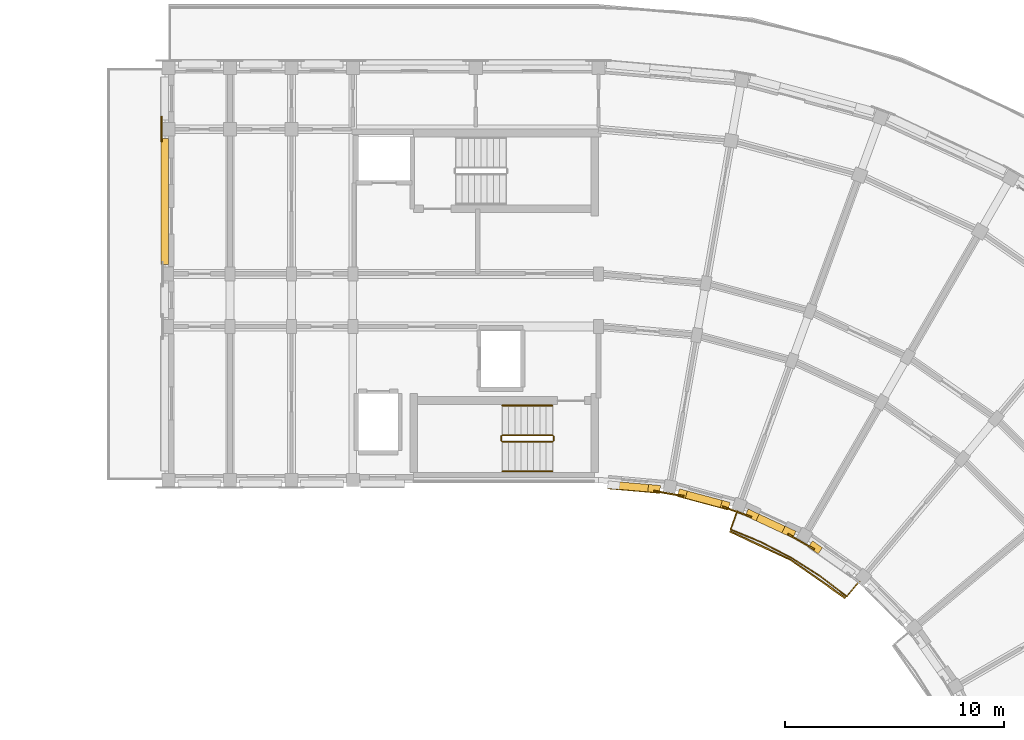
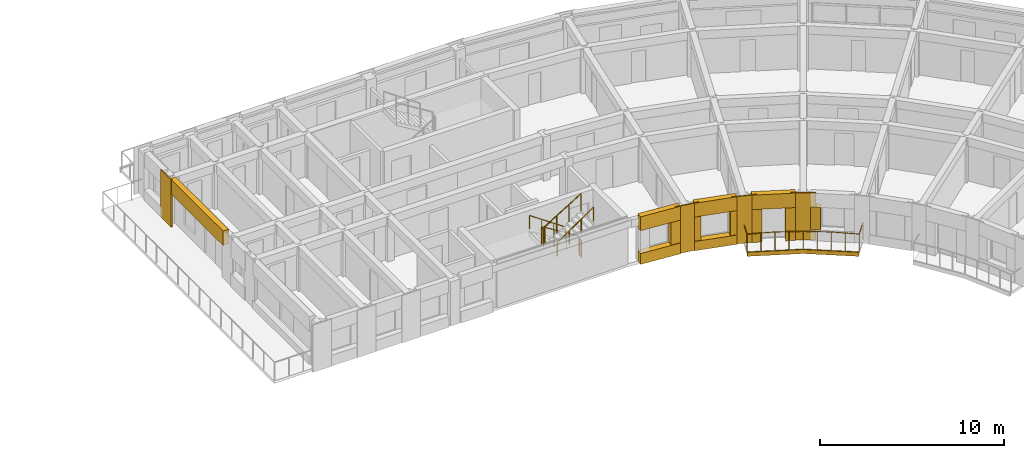
# One storey, part 32 of 36: 17 coverings, 7 railings.
"""IFC4 building model written with IfcOpenShell, lengths in metres."""

from ifc_helpers import new_model, si_unit, direction, frame, origin, origin_2d, place, context, subcontext, project, spatial, polyline, circle, outline, extrude, material, layer, layer_set, type_object, element, save


model = new_model("IFC4")

# Units and contexts
model_context = context("Model", 3, precision=1e-05, world=origin(), true_north=direction((0.0, 1.0)))
body_context = subcontext(model_context, "Body", "Model", "MODEL_VIEW")
ifc_project = project(units=[si_unit("LENGTHUNIT", "METRE"), si_unit("AREAUNIT", "SQUARE_METRE"), si_unit("VOLUMEUNIT", "CUBIC_METRE"), si_unit("PLANEANGLEUNIT", "RADIAN"), si_unit("MASSUNIT", "GRAM", prefix="KILO")], contexts=[model_context])

# Site, building, storey
site_placement = place(None, origin())
site = spatial("IfcSite", under=ifc_project, at=site_placement, CompositionType="ELEMENT")
building_placement = place(site_placement, origin())
building = spatial("IfcBuilding", under=site, at=building_placement, Name="Kiranvali Square Residences", CompositionType="ELEMENT")
storey_placement = place(building_placement, frame((0.0, 0.0, 37.050048828125)))
storey = spatial("IfcBuildingStorey", under=building, at=storey_placement, Name="L11", CompositionType="ELEMENT", Elevation=37.050048828125)

# Coverings
ifc_material_1 = material(Name="Carved Porbandar limestone classical entablature and cornice", Category="masonry")
ifc_layer_1 = layer(ifc_material_1, 0.06201171875)
ifc_layer_set_1 = layer_set([ifc_layer_1], Name="Carved Porbandar limestone classical entablature and cornice")
covering_type_1 = type_object("IfcCoveringType", Name="COV-CLAD-GBAL", PredefinedType="CLADDING", material=ifc_layer_set_1)
covering_1_placement = place(storey_placement, frame((0.0, 0.0, -0.219970703125)))
element("IfcCovering", 1, at=covering_1_placement, inside=storey, type_object=covering_type_1, Name="Block B L11 garden balcony limestone fascia 1", PredefinedType="CLADDING", context=body_context, shape_type="SweptSolid", body=[
    extrude(outline(polyline([(125.778564453125, 104.225830078125), (128.5400390625, 102.938232421875), (131.035888671875, 101.1904296875), (131.07958984375, 101.242431640625), (128.573974609375, 102.9970703125), (125.8017578125, 104.289794921875), (125.778564453125, 104.225830078125)])), origin(), (0.0, 0.0, 1.0), 0.27001953125),
])
ifc_material_2 = material(Name="Honed Porbandar limestone ashlar facade cladding", Category="masonry")
ifc_layer_2 = layer(ifc_material_2, 0.3798828125)
ifc_layer_set_2 = layer_set([ifc_layer_2], Name="Honed Porbandar limestone ashlar facade cladding")
covering_type_2 = type_object("IfcCoveringType", Name="COV-CLAD-JAMB", PredefinedType="CLADDING", material=ifc_layer_set_2)
covering_2_placement = place(storey_placement, frame((0.0, 0.0, 0.721923828125)))
element("IfcCovering", 2, at=covering_2_placement, inside=storey, type_object=covering_type_2, Name="L11 deep limestone window jamb reveal B-L11-GDN-00.R", PredefinedType="CLADDING", context=body_context, shape_type="SweptSolid", body=[
    extrude(outline(polyline([(122.05029296875, 106.061767578125), (122.5966796875, 106.013916015625), (122.626220703125, 106.352294921875), (122.079833984375, 106.400146484375), (122.05029296875, 106.061767578125)])), origin(), (0.0, 0.0, 1.0), 1.5),
])
covering_3_placement = place(storey_placement, frame((0.0, 0.0, 0.6220703125)))
element("IfcCovering", 3, at=covering_3_placement, inside=storey, type_object=covering_type_2, Name="L11 deep limestone window jamb reveal B-L11-GDN-01.L", PredefinedType="CLADDING", context=body_context, shape_type="SweptSolid", body=[
    extrude(outline(polyline([(123.401611328125, 105.8720703125), (123.762451171875, 105.775390625), (123.850341796875, 106.103271484375), (123.489501953125, 106.199951171875), (123.401611328125, 105.8720703125)])), origin(), (0.0, 0.0, 1.0), 1.599853515625),
])
covering_4_placement = place(storey_placement, frame((0.0, 0.0, 0.6220703125)))
element("IfcCovering", 4, at=covering_4_placement, inside=storey, type_object=covering_type_2, Name="L11 deep limestone window jamb reveal B-L11-GDN-01.R", PredefinedType="CLADDING", context=body_context, shape_type="SweptSolid", body=[
    extrude(outline(polyline([(125.356201171875, 105.348388671875), (125.717041015625, 105.251708984375), (125.804931640625, 105.57958984375), (125.444091796875, 105.67626953125), (125.356201171875, 105.348388671875)])), origin(), (0.0, 0.0, 1.0), 1.599853515625),
])
covering_5_placement = place(storey_placement, origin())
element("IfcCovering", 5, at=covering_5_placement, inside=storey, type_object=covering_type_2, Name="L11 deep limestone window jamb reveal B-L11-GDN-02.L", PredefinedType="CLADDING", context=body_context, shape_type="SweptSolid", body=[
    extrude(outline(polyline([(126.485107421875, 104.97216796875), (126.982177734375, 104.740234375), (127.125732421875, 105.048095703125), (126.62841796875, 105.27978515625), (126.485107421875, 104.97216796875)])), origin(), (0.0, 0.0, 1.0), 2.179931640625),
])
covering_6_placement = place(storey_placement, origin())
element("IfcCovering", 6, at=covering_6_placement, inside=storey, type_object=covering_type_2, Name="L11 deep limestone window jamb reveal B-L11-GDN-02.R", PredefinedType="CLADDING", context=body_context, shape_type="SweptSolid", body=[
    extrude(outline(polyline([(128.160400390625, 104.19091796875), (128.657470703125, 103.958984375), (128.801025390625, 104.266845703125), (128.303955078125, 104.49853515625), (128.160400390625, 104.19091796875)])), origin(), (0.0, 0.0, 1.0), 2.179931640625),
])
covering_7_placement = place(storey_placement, frame((0.0, 0.0, 0.721923828125)))
element("IfcCovering", 7, at=covering_7_placement, inside=storey, type_object=covering_type_2, Name="L11 deep limestone window jamb reveal B-L11-GDN-03.L", PredefinedType="CLADDING", context=body_context, shape_type="SweptSolid", body=[
    extrude(outline(polyline([(129.365478515625, 103.55029296875), (129.814697265625, 103.23583984375), (130.009521484375, 103.513916015625), (129.56005859375, 103.828369140625), (129.365478515625, 103.55029296875)])), origin(), (0.0, 0.0, 1.0), 1.5),
])
ifc_layer_3 = layer(ifc_material_2, 0.050048828125)
ifc_layer_set_3 = layer_set([ifc_layer_3], Name="Honed Porbandar limestone ashlar facade cladding")
covering_type_3 = type_object("IfcCoveringType", Name="COV-CLAD-PIER-IN", PredefinedType="CLADDING", material=ifc_layer_set_3)
covering_8_placement = place(storey_placement, frame((0.0, 0.0, 0.0048828125)))
element("IfcCovering", 8, at=covering_8_placement, inside=storey, type_object=covering_type_3, Name="L11 Classical garden courtyard pilaster CLAD-PRIN-B-L11-A01", PredefinedType="CLADDING", context=body_context, shape_type="SweptSolid", body=[
    extrude(outline(polyline([(122.311279296875, 106.073486328125), (123.68994140625, 105.830322265625), (123.70166015625, 105.89697265625), (122.322998046875, 106.139892578125), (122.311279296875, 106.073486328125)])), origin(), (0.0, 0.0, 1.0), 3.14013671875),
])
covering_9_placement = place(storey_placement, frame((0.0, 0.0, 0.0048828125)))
element("IfcCovering", 9, at=covering_9_placement, inside=storey, type_object=covering_type_3, Name="L11 Classical garden courtyard pilaster CLAD-PRIN-B-L11-A02", PredefinedType="CLADDING", context=body_context, shape_type="SweptSolid", body=[
    extrude(outline(polyline([(125.4462890625, 105.35986328125), (126.761962890625, 104.881103515625), (126.784912109375, 104.9443359375), (125.469482421875, 105.42333984375), (125.4462890625, 105.35986328125)])), origin(), (0.0, 0.0, 1.0), 3.14013671875),
])
covering_10_placement = place(storey_placement, frame((0.0, 0.0, 0.0048828125)))
element("IfcCovering", 10, at=covering_10_placement, inside=storey, type_object=covering_type_3, Name="L11 Classical garden courtyard pilaster CLAD-PRIN-B-L11-A03", PredefinedType="CLADDING", context=body_context, shape_type="SweptSolid", body=[
    extrude(outline(polyline([(128.40966796875, 104.112548828125), (129.622314453125, 103.41259765625), (129.656005859375, 103.470947265625), (128.443603515625, 104.171142578125), (128.40966796875, 104.112548828125)])), origin(), (0.0, 0.0, 1.0), 3.14013671875),
])
ifc_layer_4 = layer(ifc_material_2, 0.054931640625)
ifc_layer_set_4 = layer_set([ifc_layer_4], Name="Honed Porbandar limestone ashlar facade cladding")
covering_type_4 = type_object("IfcCoveringType", Name="COV-CLAD-PIER-UP", PredefinedType="CLADDING", material=ifc_layer_set_4)
covering_11_placement = place(storey_placement, frame((0.0, 0.0, 0.0048828125)))
element("IfcCovering", 11, at=covering_11_placement, inside=storey, type_object=covering_type_4, Name="L11 Classical limestone pilaster casing CLAD-PRA1E-B-L11-R348", PredefinedType="CLADDING", context=body_context, shape_type="SweptSolid", body=[
    extrude(outline(polyline([(99.8994140625, 122.02001953125), (99.8994140625, 123.179931640625), (99.83203125, 123.179931640625), (99.83203125, 122.02001953125), (99.8994140625, 122.02001953125)])), origin(), (0.0, 0.0, 1.0), 3.14013671875),
])
ifc_layer_5 = layer(ifc_material_2, 0.360107421875)
ifc_layer_set_5 = layer_set([ifc_layer_5], Name="Honed Porbandar limestone ashlar facade cladding")
covering_type_5 = type_object("IfcCoveringType", Name="COV-CLAD-WALL", PredefinedType="CLADDING", material=ifc_layer_set_5)
covering_12_placement = place(storey_placement, frame((0.0, 0.0, 2.221923828125)))
element("IfcCovering", 12, at=covering_12_placement, inside=storey, type_object=covering_type_5, Name="L11 light limestone spandrel lintel B-L11-GDN-00", PredefinedType="CLADDING", context=body_context, shape_type="SweptSolid", body=[
    extrude(outline(polyline([(120.208740234375, 106.222900390625), (122.5966796875, 106.013916015625), (122.626220703125, 106.352294921875), (120.23828125, 106.56103515625), (120.208740234375, 106.222900390625)])), origin(), (0.0, 0.0, 1.0), 0.923095703125),
])
covering_13_placement = place(storey_placement, frame((0.0, 0.0, 2.221923828125)))
element("IfcCovering", 13, at=covering_13_placement, inside=storey, type_object=covering_type_5, Name="L11 light limestone spandrel lintel B-L11-GDN-01", PredefinedType="CLADDING", context=body_context, shape_type="SweptSolid", body=[
    extrude(outline(polyline([(123.401611328125, 105.8720703125), (125.717041015625, 105.251708984375), (125.804931640625, 105.57958984375), (123.489501953125, 106.199951171875), (123.401611328125, 105.8720703125)])), origin(), (0.0, 0.0, 1.0), 0.923095703125),
])
covering_14_placement = place(storey_placement, frame((0.0, 0.0, 2.179931640625)))
element("IfcCovering", 14, at=covering_14_placement, inside=storey, type_object=covering_type_5, Name="L11 light limestone spandrel lintel B-L11-GDN-02", PredefinedType="CLADDING", context=body_context, shape_type="SweptSolid", body=[
    extrude(outline(polyline([(126.485107421875, 104.97216796875), (128.657470703125, 103.958984375), (128.801025390625, 104.266845703125), (126.62841796875, 105.27978515625), (126.485107421875, 104.97216796875)])), origin(), (0.0, 0.0, 1.0), 0.965087890625),
])
covering_15_placement = place(storey_placement, frame((0.0, 0.0, 2.179931640625)))
element("IfcCovering", 15, at=covering_15_placement, inside=storey, type_object=covering_type_5, Name="L11 light limestone spandrel lintel B-L11-A1END-2", PredefinedType="CLADDING", context=body_context, shape_type="SweptSolid", body=[
    extrude(outline(polyline([(100.199462890625, 116.419921875), (100.199462890625, 122.179931640625), (99.860107421875, 122.179931640625), (99.860107421875, 116.419921875), (100.199462890625, 116.419921875)])), origin(), (0.0, 0.0, 1.0), 0.965087890625),
])
ifc_layer_6 = layer(ifc_material_2, 0.320068359375)
ifc_layer_set_6 = layer_set([ifc_layer_6], Name="Honed Porbandar limestone ashlar facade cladding")
covering_type_6 = type_object("IfcCoveringType", Name="COV-CLAD-WALL-UP", PredefinedType="CLADDING", material=ifc_layer_set_6)
covering_16_placement = place(storey_placement, frame((0.0, 0.0, 0.0048828125)))
element("IfcCovering", 16, at=covering_16_placement, inside=storey, type_object=covering_type_6, Name="L11 limestone window sill apron B-L11-GDN-00", PredefinedType="CLADDING", context=body_context, shape_type="SweptSolid", body=[
    extrude(outline(polyline([(120.2060546875, 106.193115234375), (122.593994140625, 105.984130859375), (122.626220703125, 106.352294921875), (120.23828125, 106.56103515625), (120.2060546875, 106.193115234375)])), origin(), (0.0, 0.0, 1.0), 0.717041015625),
])
covering_17_placement = place(storey_placement, frame((0.0, 0.0, 0.0048828125)))
element("IfcCovering", 17, at=covering_17_placement, inside=storey, type_object=covering_type_6, Name="L11 limestone window sill apron B-L11-GDN-01", PredefinedType="CLADDING", context=body_context, shape_type="SweptSolid", body=[
    extrude(outline(polyline([(123.393798828125, 105.843017578125), (125.709228515625, 105.22265625), (125.804931640625, 105.57958984375), (123.489501953125, 106.199951171875), (123.393798828125, 105.843017578125)])), origin(), (0.0, 0.0, 1.0), 0.6171875),
])

# Railings
ifc_material_3 = material(Name="Powder-coated architectural bronze balustrade", Category="steel")
railing_type_1 = type_object("IfcRailingType", Name="RL-BAL-GOLD-1200", PredefinedType="BALUSTRADE", material=ifc_material_3)
railing_1_placement = place(storey_placement, frame((126.21630859375, 105.4287109375, 0.0)))
element("IfcRailing", 18, at=railing_1_placement, inside=storey, type_object=railing_type_1, Name="Block B L11 garden balcony gold balustrade 1", PredefinedType="BALUSTRADE", context=body_context, shape_type="SweptSolid", body=[
    extrude(circle(Radius=0.02392578125, at=origin_2d()), frame((0.0, 0.0, 1.17578125), z_axis=(-0.341964618562, -0.939712828289, 0.0), x_axis=(0.939712828289, -0.341964618562, 0.0)), (0.0, 0.0, 1.0), 1.150146484375),
    extrude(circle(Radius=0.02392578125, at=origin_2d()), frame((-0.393310546875, -1.080810546875, 1.17578125), z_axis=(0.923892883829, -0.382651197843, 0.0), x_axis=(0.382651197843, 0.923892883829, 0.0)), (0.0, 0.0, 1.0), 1.536376953125),
    extrude(circle(Radius=0.02392578125, at=origin_2d()), frame((1.026123046875, -1.668701171875, 1.17578125), z_axis=(0.887029366154, -0.461713009976, 0.0), x_axis=(0.461713009976, 0.887029366154, 0.0)), (0.0, 0.0, 1.0), 1.5361328125),
    extrude(circle(Radius=0.02392578125, at=origin_2d()), frame((2.388671875, -2.3779296875, 1.17578125), z_axis=(0.843386539688, -0.537307309343, 0.0), x_axis=(0.537307309343, 0.843386539688, 0.0)), (0.0, 0.0, 1.0), 1.5361328125),
    extrude(circle(Radius=0.02392578125, at=origin_2d()), frame((3.684326171875, -3.203369140625, 1.17578125), z_axis=(0.793314680996, -0.608811807471, 0.0), x_axis=(0.608811807471, 0.793314680996, 0.0)), (0.0, 0.0, 1.0), 1.536376953125),
    extrude(circle(Radius=0.02392578125, at=origin_2d()), frame((4.903076171875, -4.138671875, 1.17578125), z_axis=(0.642853454051, 0.765989188314, 0.0), x_axis=(-0.765989188314, 0.642853454051, 0.0)), (0.0, 0.0, 1.0), 1.14990234375),
    extrude(circle(Radius=0.02099609375, at=origin_2d()), origin(), (0.0, 0.0, 1.0), 1.15185546875),
    extrude(circle(Radius=0.02099609375, at=origin_2d()), frame((-0.393310546875, -1.080810546875, 0.0)), (0.0, 0.0, 1.0), 1.15185546875),
    extrude(circle(Radius=0.02099609375, at=origin_2d()), frame((0.31640625, -1.374755859375, 0.0)), (0.0, 0.0, 1.0), 1.15185546875),
    extrude(circle(Radius=0.02099609375, at=origin_2d()), frame((1.026123046875, -1.668701171875, 0.0)), (0.0, 0.0, 1.0), 1.15185546875),
    extrude(circle(Radius=0.02099609375, at=origin_2d()), frame((1.70751953125, -2.0234375, 0.0)), (0.0, 0.0, 1.0), 1.15185546875),
    extrude(circle(Radius=0.02099609375, at=origin_2d()), frame((2.388671875, -2.3779296875, 0.0)), (0.0, 0.0, 1.0), 1.15185546875),
    extrude(circle(Radius=0.02099609375, at=origin_2d()), frame((3.03662109375, -2.79052734375, 0.0)), (0.0, 0.0, 1.0), 1.15185546875),
    extrude(circle(Radius=0.02099609375, at=origin_2d()), frame((3.684326171875, -3.203369140625, 0.0)), (0.0, 0.0, 1.0), 1.15185546875),
    extrude(circle(Radius=0.02099609375, at=origin_2d()), frame((4.293701171875, -3.6708984375, 0.0)), (0.0, 0.0, 1.0), 1.15185546875),
    extrude(circle(Radius=0.02099609375, at=origin_2d()), frame((4.903076171875, -4.138671875, 0.0)), (0.0, 0.0, 1.0), 1.15185546875),
    extrude(circle(Radius=0.02099609375, at=origin_2d()), frame((5.642333984375, -3.2578125, 0.0)), (0.0, 0.0, 1.0), 1.15185546875),
])
ifc_material_4 = material(Name="Brushed stainless steel tubular handrail", Category="steel")
railing_type_2 = type_object("IfcRailingType", Name="RL-HANDRAIL-900", PredefinedType="HANDRAIL", material=ifc_material_4)
railing_2_placement = place(storey_placement, frame((117.699951171875, 110.0, 0.175048828125)))
element("IfcRailing", 19, at=railing_2_placement, inside=storey, type_object=railing_type_2, Name="L11 ST-B2 stair handrail 1", PredefinedType="HANDRAIL", context=body_context, shape_type="SweptSolid", body=[
    extrude(circle(Radius=0.02392578125, at=origin_2d()), frame((0.0, 0.0, 0.8759765625), z_axis=(-0.82278801735, 0.0, 0.568348377763), x_axis=(0.0, -1.0, 0.0)), (0.0, 0.0, 1.0), 2.77099609375),
    extrude(circle(Radius=0.02099609375, at=origin_2d()), origin(), (0.0, 0.0, 1.0), 0.851806640625),
    extrude(circle(Radius=0.02099609375, at=origin_2d()), frame((-0.760009765625, 0.0, 0.52490234375)), (0.0, 0.0, 1.0), 0.851806640625),
    extrude(circle(Radius=0.02099609375, at=origin_2d()), frame((-1.52001953125, 0.0, 1.050048828125)), (0.0, 0.0, 1.0), 0.851806640625),
    extrude(circle(Radius=0.02099609375, at=origin_2d()), frame((-2.280029296875, 0.0, 1.574951171875)), (0.0, 0.0, 1.0), 0.851806640625),
])
railing_3_placement = place(storey_placement, frame((115.419921875, 107.0, 1.75)))
element("IfcRailing", 20, at=railing_3_placement, inside=storey, type_object=railing_type_2, Name="L11 ST-B2 stair handrail 2", PredefinedType="HANDRAIL", context=body_context, shape_type="SweptSolid", body=[
    extrude(circle(Radius=0.02392578125, at=origin_2d()), frame((0.0, 0.0, 0.8759765625), z_axis=(0.82278801735, 0.0, 0.568348377763), x_axis=(0.0, 1.0, 0.0)), (0.0, 0.0, 1.0), 2.77099609375),
    extrude(circle(Radius=0.02099609375, at=origin_2d()), origin(), (0.0, 0.0, 1.0), 0.851806640625),
    extrude(circle(Radius=0.02099609375, at=origin_2d()), frame((0.760009765625, 0.0, 0.52490234375)), (0.0, 0.0, 1.0), 0.851806640625),
    extrude(circle(Radius=0.02099609375, at=origin_2d()), frame((1.52001953125, 0.0, 1.050048828125)), (0.0, 0.0, 1.0), 0.851806640625),
    extrude(circle(Radius=0.02099609375, at=origin_2d()), frame((2.280029296875, 0.0, 1.574951171875)), (0.0, 0.0, 1.0), 0.851806640625),
])
railing_type_3 = type_object("IfcRailingType", Name="RL-ST-GUARD-1200", PredefinedType="GUARDRAIL", material=ifc_material_3)
railing_4_placement = place(storey_placement, frame((117.699951171875, 108.64990234375, 0.175048828125)))
element("IfcRailing", 21, at=railing_4_placement, inside=storey, type_object=railing_type_3, Name="L11 ST-B2 stair guard 1", PredefinedType="GUARDRAIL", context=body_context, shape_type="SweptSolid", body=[
    extrude(circle(Radius=0.02392578125, at=origin_2d()), frame((0.0, 0.0, 1.1259765625), z_axis=(-0.852190499154, 0.0, 0.523231643875), x_axis=(0.0, -1.0, 0.0)), (0.0, 0.0, 1.0), 2.675537109375),
    extrude(circle(Radius=0.02099609375, at=origin_2d()), origin(), (0.0, 0.0, 1.0), 1.101806640625),
    extrude(circle(Radius=0.02099609375, at=origin_2d()), frame((-0.760009765625, 0.0, 0.466552734375)), (0.0, 0.0, 1.0), 1.101806640625),
    extrude(circle(Radius=0.02099609375, at=origin_2d()), frame((-1.52001953125, 0.0, 0.933349609375)), (0.0, 0.0, 1.0), 1.101806640625),
    extrude(circle(Radius=0.02099609375, at=origin_2d()), frame((-2.280029296875, 0.0, 1.39990234375)), (0.0, 0.0, 1.0), 1.101806640625),
])
railing_5_placement = place(storey_placement, frame((115.3701171875, 108.60009765625, 1.574951171875)))
element("IfcRailing", 22, at=railing_5_placement, inside=storey, type_object=railing_type_3, Name="L11 ST-B2 stair guard 2", PredefinedType="GUARDRAIL", context=body_context, shape_type="SweptSolid", body=[
    extrude(circle(Radius=0.02392578125, at=origin_2d()), frame((0.0, 0.0, 1.1259765625), z_axis=(0.0, -1.0, 0.0), x_axis=(1.0, 0.0, 0.0)), (0.0, 0.0, 1.0), 0.2001953125),
    extrude(circle(Radius=0.02099609375, at=origin_2d()), origin(), (0.0, 0.0, 1.0), 1.101806640625),
    extrude(circle(Radius=0.02099609375, at=origin_2d()), frame((0.0, -0.2001953125, 0.0)), (0.0, 0.0, 1.0), 1.101806640625),
])
railing_6_placement = place(storey_placement, frame((115.419921875, 108.35009765625, 1.75)))
element("IfcRailing", 23, at=railing_6_placement, inside=storey, type_object=railing_type_3, Name="L11 ST-B2 stair guard 3", PredefinedType="GUARDRAIL", context=body_context, shape_type="SweptSolid", body=[
    extrude(circle(Radius=0.02392578125, at=origin_2d()), frame((0.0, 0.0, 1.1259765625), z_axis=(0.852190499154, 0.0, 0.523231643875), x_axis=(0.0, 1.0, 0.0)), (0.0, 0.0, 1.0), 2.675537109375),
    extrude(circle(Radius=0.02099609375, at=origin_2d()), origin(), (0.0, 0.0, 1.0), 1.101806640625),
    extrude(circle(Radius=0.02099609375, at=origin_2d()), frame((0.760009765625, 0.0, 0.466552734375)), (0.0, 0.0, 1.0), 1.101806640625),
    extrude(circle(Radius=0.02099609375, at=origin_2d()), frame((1.52001953125, 0.0, 0.933349609375)), (0.0, 0.0, 1.0), 1.101806640625),
    extrude(circle(Radius=0.02099609375, at=origin_2d()), frame((2.280029296875, 0.0, 1.39990234375)), (0.0, 0.0, 1.0), 1.101806640625),
])
railing_7_placement = place(storey_placement, frame((117.75, 108.60009765625, 0.0)))
element("IfcRailing", 24, at=railing_7_placement, inside=storey, type_object=railing_type_3, Name="L11 ST-B2 stair guard 4", PredefinedType="GUARDRAIL", context=body_context, shape_type="SweptSolid", body=[
    extrude(circle(Radius=0.02392578125, at=origin_2d()), frame((0.0, 0.0, 1.1259765625), z_axis=(0.0, -1.0, 0.0), x_axis=(1.0, 0.0, 0.0)), (0.0, 0.0, 1.0), 0.2001953125),
    extrude(circle(Radius=0.02099609375, at=origin_2d()), origin(), (0.0, 0.0, 1.0), 1.101806640625),
    extrude(circle(Radius=0.02099609375, at=origin_2d()), frame((0.0, -0.2001953125, 0.0)), (0.0, 0.0, 1.0), 1.101806640625),
])

save(model, "model.ifc")
